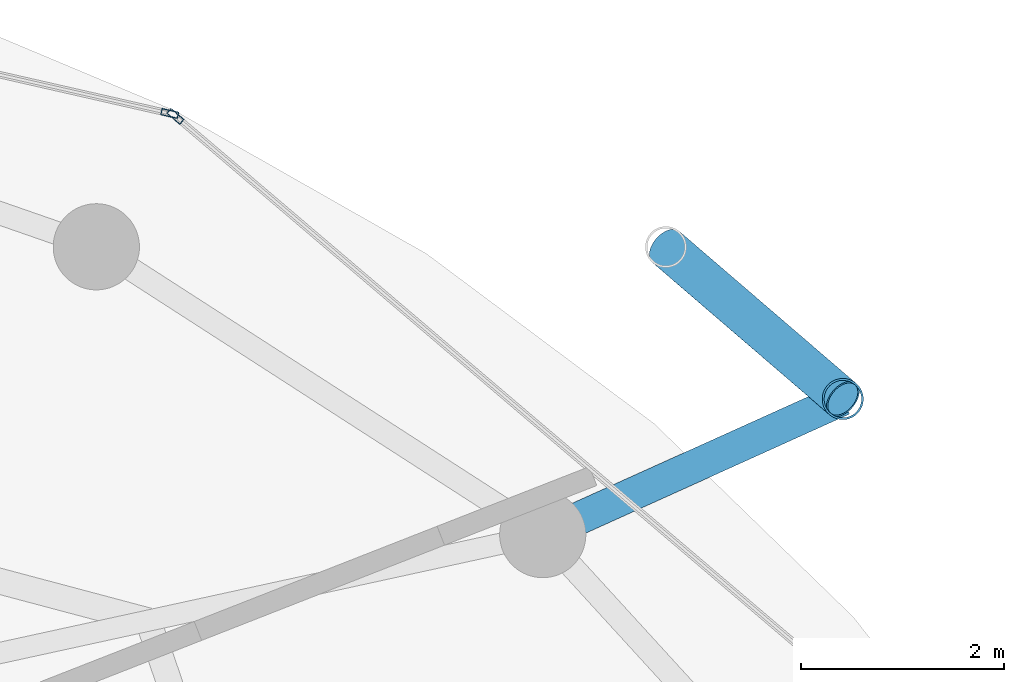
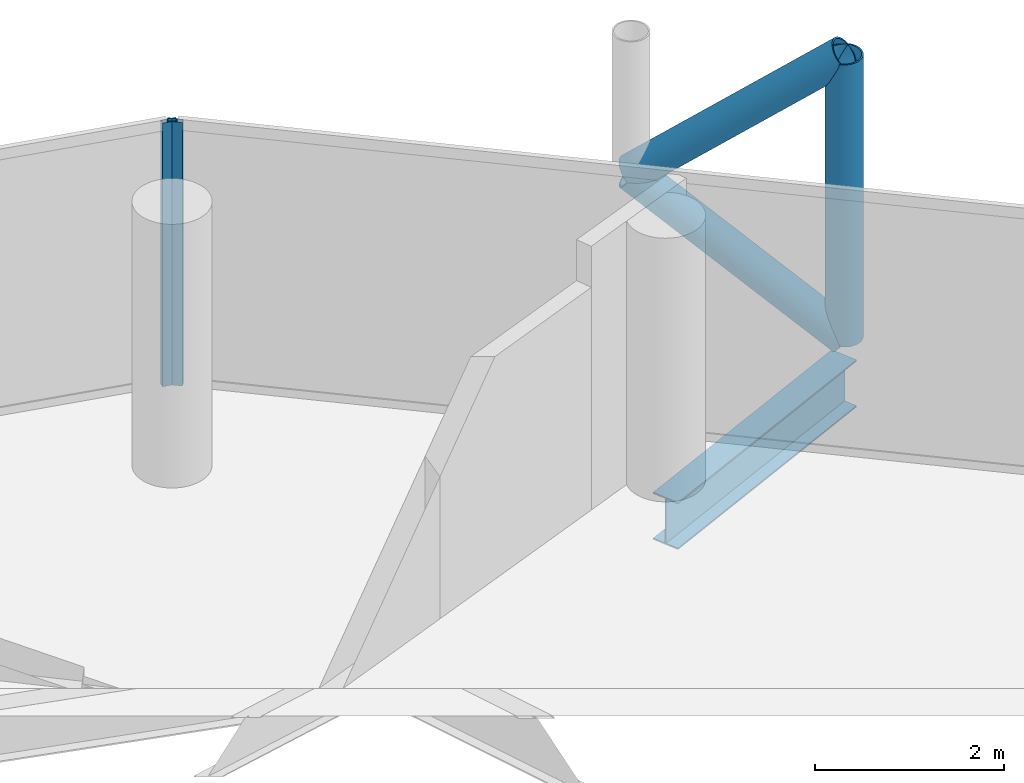
# One storey, part 21 of 27: 5 members, 1 beam, 2 elements without a shape of their own.
"""IFC4 building model written with IfcOpenShell, lengths in metres."""

from ifc_helpers import new_model, si_unit, direction, frame, origin, origin_2d, place, context, subcontext, project, spatial, hollow_rectangle, hollow_circle, i_section, extrude, material, layer, layer_set, material_profile, profile_set, type_object, element, aggregate, save


model = new_model("IFC4")

# Units and contexts
model_context = context("Model", 3, precision=1e-05, world=origin(), true_north=direction((0.0, 1.0)))
body_context = subcontext(model_context, "Body", "Model", "MODEL_VIEW")
ifc_project = project(units=[si_unit("LENGTHUNIT", "METRE"), si_unit("AREAUNIT", "SQUARE_METRE"), si_unit("VOLUMEUNIT", "CUBIC_METRE"), si_unit("PLANEANGLEUNIT", "RADIAN"), si_unit("MASSUNIT", "GRAM", prefix="KILO")], contexts=[model_context])

# Site, building, storey
site_placement = place(None, origin())
site = spatial("IfcSite", under=ifc_project, at=site_placement, CompositionType="ELEMENT")
building_placement = place(site_placement, origin())
building = spatial("IfcBuilding", under=site, at=building_placement, Name="Nuhasar Tower", CompositionType="ELEMENT")
storey_placement = place(building_placement, frame((0.0, 0.0, 244.64990234375)))
storey = spatial("IfcBuildingStorey", under=building, at=storey_placement, Name="L60", CompositionType="ELEMENT", Elevation=244.64990234375)

# Beam
ifc_material_1 = material(Name="Steel S355", Category="steel")
ifc_material_profile_1 = material_profile(ifc_material_1, i_section(OverallWidth=0.323974609375, OverallDepth=0.611083984375, WebThickness=0.0126953125, FlangeThickness=0.01904296875, at=origin_2d()), Name="W24X104")
ifc_profile_set_1 = profile_set([ifc_material_profile_1], Name="Steel S355")
beam_type = type_object("IfcBeamType", Name="BM-TIE-W24X104", PredefinedType="BEAM", material=ifc_profile_set_1)
beam_placement = place(storey_placement, frame((54.02587890625, 39.422119140625, -0.544921875), z_axis=(0.911363318082, 0.411602845538, 0.0), x_axis=(-0.411602845538, 0.911363318082, 0.0)))
element("IfcBeam", 1, at=beam_placement, inside=storey, type_object=beam_type, Name="L60 Exoskeleton Node Tie Beam 02", PredefinedType="BEAM", context=body_context, shape_type="SweptSolid", body=[
    extrude(i_section(OverallWidth=0.323974609375, OverallDepth=0.611083984375, WebThickness=0.0126953125, FlangeThickness=0.01904296875, at=origin_2d()), origin(), (0.0, 0.0, 1.0), 3.24560546875),
])

# Curtain wall, member
ifc_material_2 = material(Name="Aluminium 6063-T6", Category="aluminium")
ifc_layer = layer(ifc_material_2, 0.18994140625)
ifc_layer_set = layer_set([ifc_layer], Name="Aluminium 6063-T6")
curtain_wall_type = type_object("IfcCurtainWallType", Name="CW-Z3-RES", PredefinedType="NOTDEFINED", material=ifc_layer_set)
curtain_wall_1_placement = place(storey_placement, origin())
curtain_wall_1 = element("IfcCurtainWall", 2, at=curtain_wall_1_placement, inside=storey, type_object=curtain_wall_type, Name="L60 Unitised Curtain Wall 02", PredefinedType="NOTDEFINED")
ifc_material_profile_2 = material_profile(ifc_material_2, hollow_rectangle(XDim=0.06494140625, YDim=0.169921875, WallThickness=0.0048828125, at=origin_2d()), Name="CWM-4")
ifc_profile_set_2 = profile_set([ifc_material_profile_2], Name="Aluminium 6063-T6")
member_type_1 = type_object("IfcMemberType", Name="CW-MUL-S4", PredefinedType="MULLION", material=ifc_profile_set_2)
member_1_placement = place(storey_placement, frame((50.40478515625, 43.544921875, 0.0), z_axis=(0.0, 0.0, 1.0), x_axis=(-0.64789521578, -0.761729472562, 0.0)))
member_1 = element("IfcMember", 3, at=member_1_placement, type_object=member_type_1, Name="CW-Z3 mullion 2", PredefinedType="MULLION", context=body_context, shape_type="SweptSolid", body=[
    extrude(hollow_rectangle(XDim=0.06494140625, YDim=0.169921875, WallThickness=0.0048828125, at=origin_2d()), origin(), (0.0, 0.0, 1.0), 3.41015625),
])
aggregate(curtain_wall_1, [member_1])

curtain_wall_2_placement = place(storey_placement, origin())
curtain_wall_2 = element("IfcCurtainWall", 4, at=curtain_wall_2_placement, inside=storey, type_object=curtain_wall_type, Name="L60 Unitised Curtain Wall 03", PredefinedType="NOTDEFINED")
member_2_placement = place(storey_placement, frame((50.348388671875, 43.5732421875, 0.0), z_axis=(0.0, 0.0, 1.0), x_axis=(-0.222243176313, -0.974991266926, 0.0)))
member_2 = element("IfcMember", 5, at=member_2_placement, type_object=member_type_1, Name="CW-Z3 mullion 1", PredefinedType="MULLION", context=body_context, shape_type="SweptSolid", body=[
    extrude(hollow_rectangle(XDim=0.06494140625, YDim=0.169921875, WallThickness=0.0048828125, at=origin_2d()), origin(), (0.0, 0.0, 1.0), 3.41015625),
])
aggregate(curtain_wall_2, [member_2])

# Members
ifc_material_3 = material(Name="Steel S460", Category="steel")
ifc_material_profile_3 = material_profile(ifc_material_3, hollow_circle(Radius=0.203125, WallThickness=0.01904296875, at=origin_2d()), Name="HSS406.4X19.1")
ifc_profile_set_3 = profile_set([ifc_material_profile_3], Name="Steel S460")
member_type_2 = type_object("IfcMemberType", Name="EXO-BRONZE-406", PredefinedType="BRACE", material=ifc_profile_set_3)
member_3_placement = place(storey_placement, frame((56.98388671875, 40.758056640625, 0.0), z_axis=(0.0, 0.0, 1.0), x_axis=(1.0, 0.0, 0.0)))
element("IfcMember", 6, at=member_3_placement, inside=storey, type_object=member_type_2, Name="L60 Exoskeleton Chord Column EC-02A", PredefinedType="BRACE", context=body_context, shape_type="SweptSolid", body=[
    extrude(hollow_circle(Radius=0.203125, WallThickness=0.01904296875, at=origin_2d()), origin(), (0.0, 0.0, 1.0), 3.650146484375),
])
for number, where, z_axis, x_axis, name in (
    (7, (56.98388671875, 40.758056640625, 0.0), (-0.593987827832, 0.51058172517, 0.621678986543), (-0.65185738425, -0.758341579104, 0.0), "L60 Bronze Diagrid Brace W1-02"),
    (8, (55.239990234375, 42.257080078125, 1.8251953125), (0.594018535389, -0.510608120858, 0.621627964725), (0.65185738425, 0.758341579104, 0.0), "L60 Bronze Diagrid Brace W2-02"),
):
    element("IfcMember", number, at=place(storey_placement, frame(where, z_axis=z_axis, x_axis=x_axis)), inside=storey, type_object=member_type_2, Name=name, PredefinedType="BRACE", context=body_context, shape_type="SweptSolid", body=[
        extrude(hollow_circle(Radius=0.203125, WallThickness=0.01904296875, at=origin_2d()), origin(), (0.0, 0.0, 1.0), 2.935791015625),
    ])

save(model, "model.ifc")
